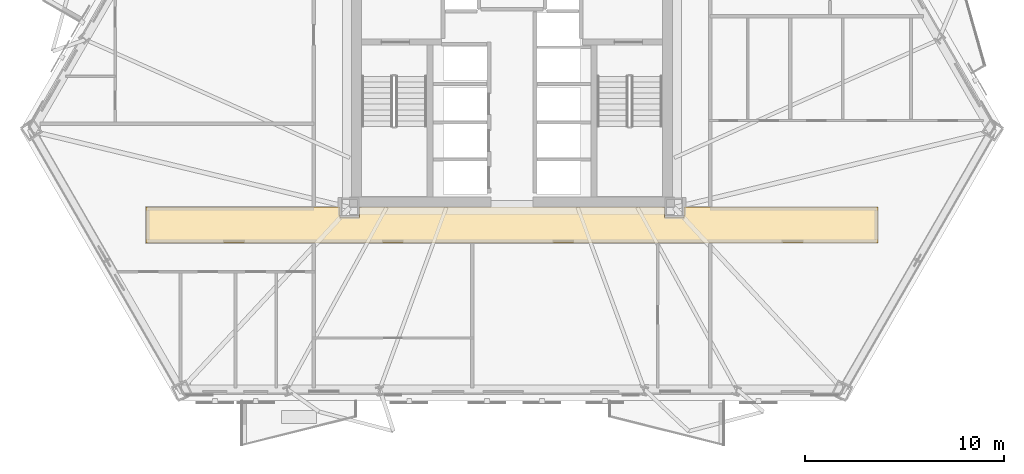
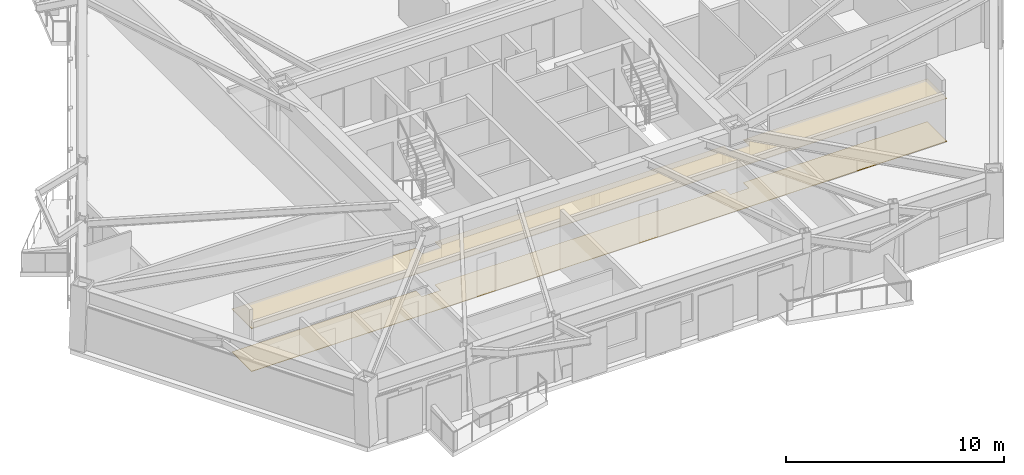
# One storey, part 9 of 13: 2 coverings.
"""IFC4 building model written with IfcOpenShell, lengths in metres."""

from ifc_helpers import new_model, si_unit, direction, frame, origin, place, context, subcontext, project, spatial, polyline, outline, extrude, material, layer, layer_set, type_object, element, save


model = new_model("IFC4")

# Units and contexts
model_context = context("Model", 3, precision=1e-05, world=origin(), true_north=direction((0.0, 1.0)))
body_context = subcontext(model_context, "Body", "Model", "MODEL_VIEW")
ifc_project = project(units=[si_unit("LENGTHUNIT", "METRE"), si_unit("AREAUNIT", "SQUARE_METRE"), si_unit("VOLUMEUNIT", "CUBIC_METRE"), si_unit("PLANEANGLEUNIT", "RADIAN"), si_unit("MASSUNIT", "GRAM", prefix="KILO")], contexts=[model_context])

# Site, building, storey
site_placement = place(None, origin())
site = spatial("IfcSite", under=ifc_project, at=site_placement, CompositionType="ELEMENT")
building_placement = place(site_placement, origin())
building = spatial("IfcBuilding", under=site, at=building_placement, Name="Oramaril Tower", CompositionType="ELEMENT")
storey_placement = place(building_placement, frame((0.0, 0.0, 41.699951171875)))
storey = spatial("IfcBuildingStorey", under=building, at=storey_placement, Name="L10", CompositionType="ELEMENT", Elevation=41.699951171875)

# Coverings
ifc_material_1 = material(Name="Mineral Fibre Acoustic Ceiling")
ifc_layer_1 = layer(ifc_material_1, 0.02001953125)
ifc_layer_set_1 = layer_set([ifc_layer_1], Name="CVT-CEIL")
covering_type_1 = type_object("IfcCoveringType", Name="CVT-CEIL", PredefinedType="CEILING", material=ifc_layer_set_1)
covering_1_placement = place(storey_placement, frame((0.0, 0.0, 2.400146484375)))
element("IfcCovering", 1, at=covering_1_placement, inside=storey, type_object=covering_type_1, Name="L10 Acoustic Suspended Ceiling 1", PredefinedType="CEILING", context=body_context, shape_type="SweptSolid", body=[
    extrude(outline(polyline([(28.85498046875, 10.5048828125), (29.844970703125, 10.5048828125), (29.844970703125, 11.030029296875), (45.155029296875, 11.030029296875), (45.155029296875, 10.5048828125), (46.14501953125, 10.5048828125), (46.14501953125, 11.030029296875), (55.8798828125, 11.030029296875), (55.8798828125, 9.219970703125), (19.1201171875, 9.219970703125), (19.1201171875, 11.030029296875), (28.85498046875, 11.030029296875), (28.85498046875, 10.5048828125)])), origin(), (0.0, 0.0, 1.0), 0.02001953125),
])
ifc_material_2 = material(Name="Honed Quartzite Stone Flooring", Category="masonry")
ifc_layer_2 = layer(ifc_material_2, 0.02490234375)
ifc_layer_set_2 = layer_set([ifc_layer_2], Name="CVT-FLR")
covering_type_2 = type_object("IfcCoveringType", Name="CVT-FLR", PredefinedType="FLOORING", material=ifc_layer_set_2)
covering_2_placement = place(storey_placement, origin())
element("IfcCovering", 2, at=covering_2_placement, inside=storey, type_object=covering_type_2, Name="L10 Honed Stone Floor Finish 1", PredefinedType="FLOORING", context=body_context, shape_type="SweptSolid", body=[
    extrude(outline(polyline([(28.85498046875, 10.5048828125), (29.844970703125, 10.5048828125), (29.844970703125, 11.030029296875), (45.155029296875, 11.030029296875), (45.155029296875, 10.5048828125), (46.14501953125, 10.5048828125), (46.14501953125, 11.030029296875), (55.8798828125, 11.030029296875), (55.8798828125, 9.219970703125), (19.1201171875, 9.219970703125), (19.1201171875, 11.030029296875), (28.85498046875, 11.030029296875), (28.85498046875, 10.5048828125)])), origin(), (0.0, 0.0, 1.0), 0.025146484375),
])

save(model, "model.ifc")
